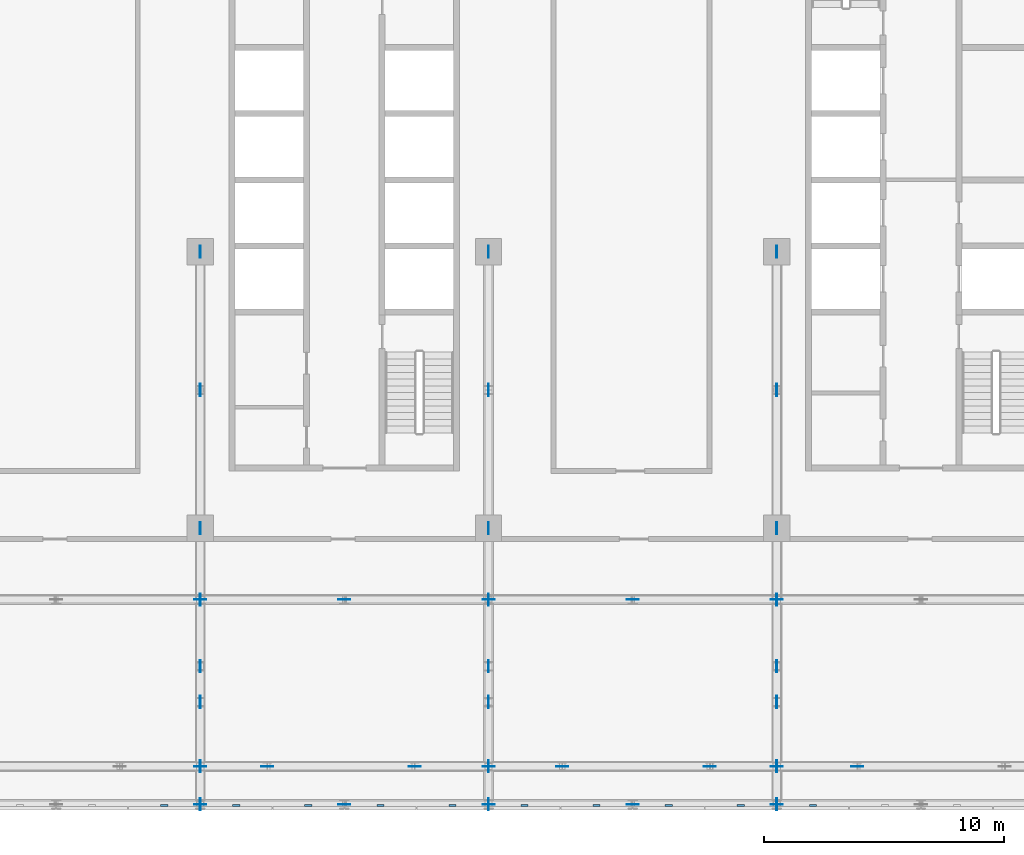
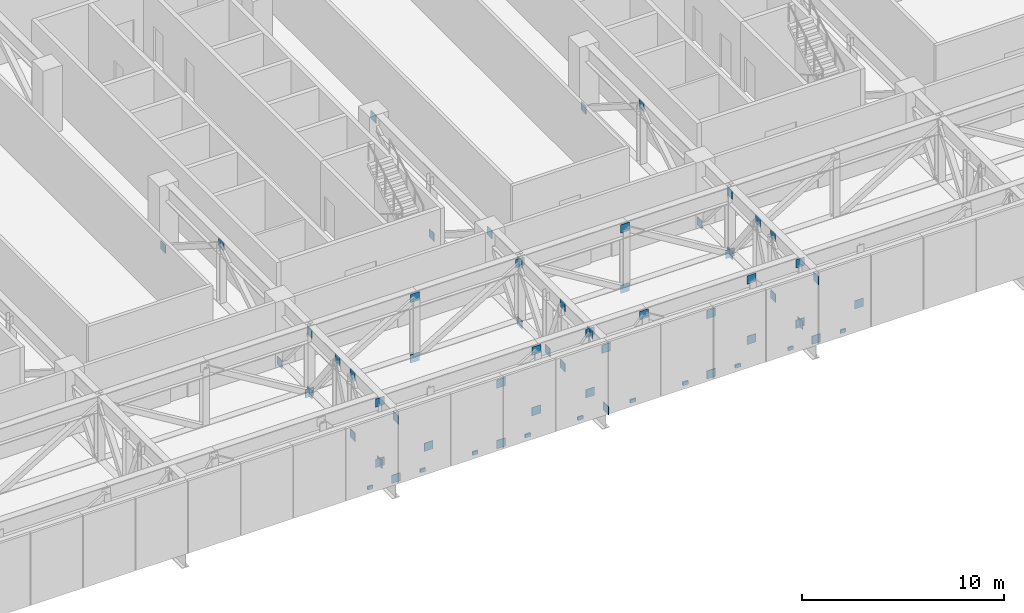
# One storey, part 18 of 28: 67 discrete accessories.
"""IFC4 building model written with IfcOpenShell, lengths in metres."""

from ifc_helpers import new_model, si_unit, direction, frame, origin, origin_2d, place, context, subcontext, project, spatial, rectangle, extrude, material, layer, layer_set, type_object, element, save


model = new_model("IFC4")

# Units and contexts
model_context = context("Model", 3, precision=1e-05, world=origin(), true_north=direction((0.0, 1.0)))
body_context = subcontext(model_context, "Body", "Model", "MODEL_VIEW")
ifc_project = project(units=[si_unit("LENGTHUNIT", "METRE"), si_unit("AREAUNIT", "SQUARE_METRE"), si_unit("VOLUMEUNIT", "CUBIC_METRE"), si_unit("PLANEANGLEUNIT", "RADIAN"), si_unit("MASSUNIT", "GRAM", prefix="KILO")], contexts=[model_context])

# Site, building, storey
site_placement = place(None, origin())
site = spatial("IfcSite", under=ifc_project, at=site_placement, CompositionType="ELEMENT")
building_placement = place(site_placement, origin())
building = spatial("IfcBuilding", under=site, at=building_placement, Name="Mahtab Terrace Research Tower", CompositionType="ELEMENT")
storey_placement = place(building_placement, frame((0.0, 0.0, 224.300048828125)))
storey = spatial("IfcBuildingStorey", under=building, at=storey_placement, Name="L54", CompositionType="ELEMENT", Elevation=224.300048828125)

# Discrete accessories
ifc_material_1 = material(Name="Black anodised aluminium", Category="aluminium")
discrete_accessory_type_1 = type_object("IfcDiscreteAccessoryType", Name="Facade bracket", PredefinedType="BRACKET", material=ifc_material_1)
for number, where, z_axis, x_axis, name in (
    (1, (-7.5, -23.044921875, -0.2998046875), (0.0, 0.0, 1.0), (1.0, 0.0, 0.0), "Louvre bracket L54 64"),
    (2, (-4.5, -23.044921875, -0.2998046875), (0.0, 0.0, 1.0), (1.0, 0.0, 0.0), "Louvre bracket L54 65"),
    (3, (-1.5, -23.044921875, -0.2998046875), (0.0, 0.0, 1.0), (1.0, 0.0, 0.0), "Louvre bracket L54 66"),
    (4, (1.5, -23.044921875, -0.2998046875), (0.0, 0.0, 1.0), (1.0, 0.0, 0.0), "Louvre bracket L54 67"),
    (5, (4.5, -23.044921875, -0.2998046875), (0.0, 0.0, 1.0), (1.0, 0.0, 0.0), "Louvre bracket L54 68"),
    (6, (7.5, -23.044921875, -0.2998046875), (0.0, 0.0, 1.0), (1.0, 0.0, 0.0), "Louvre bracket L54 69"),
    (7, (10.5, -23.044921875, -0.2998046875), (0.0, 0.0, 1.0), (1.0, 0.0, 0.0), "Louvre bracket L54 70"),
    (8, (13.5, -23.044921875, -0.2998046875), (0.0, 0.0, 1.0), (1.0, 0.0, 0.0), "Louvre bracket L54 71"),
    (9, (16.5, -23.044921875, -0.2998046875), (0.0, 0.0, 1.0), (1.0, 0.0, 0.0), "Louvre bracket L54 72"),
    (10, (19.5, -23.044921875, -0.2998046875), (0.0, 0.0, 1.0), (1.0, 0.0, 0.0), "Louvre bracket L54 73"),
):
    element("IfcDiscreteAccessory", number, at=place(storey_placement, frame(where, z_axis=z_axis, x_axis=x_axis)), inside=storey, type_object=discrete_accessory_type_1, Name=name, PredefinedType="BRACKET", context=body_context, shape_type="SweptSolid", body=[
        extrude(rectangle(XDim=0.300048828125, YDim=0.090087890625, at=origin_2d()), origin(), (0.0, 0.0, 1.0), 0.199951171875),
    ])
ifc_material_2 = material(Name="Steel ASTM A992 Gr 50", Category="steel")
ifc_layer = layer(ifc_material_2, 0.030029296875)
ifc_layer_set = layer_set([ifc_layer], Name="Gusset plate 500x500x30")
discrete_accessory_type_2 = type_object("IfcDiscreteAccessoryType", Name="Gusset plate 500x500x30", PredefinedType="USERDEFINED", material=ifc_layer_set)
for number, where, z_axis, x_axis, name in (
    (11, (-6.0, -23.0, -0.43798828125), (0.0, 0.0, 1.0), (1.0, 0.0, 0.0), "Gusset plate"),
    (12, (-6.0, -21.416015625, -0.43798828125), (0.0, 0.0, 1.0), (1.0, 0.0, 0.0), "Gusset plate"),
    (13, (-6.0, -21.416015625, 3.20947265625), (0.0, 0.0, 1.0), (1.0, 0.0, 0.0), "Gusset plate"),
    (14, (-6.0, -14.472900390625, -0.43798828125), (0.0, 0.0, 1.0), (1.0, 0.0, 0.0), "Gusset plate"),
    (15, (-3.2119140625, -21.416015625, -0.43798828125), (0.0, 0.0, 1.0), (1.0, 0.0, 0.0), "Gusset plate"),
    (16, (0.0, -23.0, -0.43798828125), (0.0, 0.0, 1.0), (1.0, 0.0, 0.0), "Gusset plate"),
    (17, (0.0, -23.0, 3.20947265625), (0.0, 0.0, 1.0), (1.0, 0.0, 0.0), "Gusset plate"),
    (18, (0.0, -14.472900390625, -0.43798828125), (0.0, 0.0, 1.0), (1.0, 0.0, 0.0), "Gusset plate"),
    (19, (0.0, -14.472900390625, 3.20947265625), (0.0, 0.0, 1.0), (1.0, 0.0, 0.0), "Gusset plate"),
    (20, (2.928955078125, -21.416015625, -0.43798828125), (0.0, 0.0, 1.0), (1.0, 0.0, 0.0), "Gusset plate"),
    (21, (2.928955078125, -21.416015625, 3.20947265625), (0.0, 0.0, 1.0), (1.0, 0.0, 0.0), "Gusset plate"),
    (22, (6.0, -23.0, 3.20947265625), (0.0, 0.0, 1.0), (1.0, 0.0, 0.0), "Gusset plate"),
    (23, (6.0, -21.416015625, -0.43798828125), (0.0, 0.0, 1.0), (1.0, 0.0, 0.0), "Gusset plate"),
    (24, (6.0, -21.416015625, 3.20947265625), (0.0, 0.0, 1.0), (1.0, 0.0, 0.0), "Gusset plate"),
    (25, (6.0, -14.472900390625, 3.20947265625), (0.0, 0.0, 1.0), (1.0, 0.0, 0.0), "Gusset plate"),
    (26, (9.071044921875, -21.416015625, 3.20947265625), (0.0, 0.0, 1.0), (1.0, 0.0, 0.0), "Gusset plate"),
    (27, (12.0, -23.0, -0.43798828125), (0.0, 0.0, 1.0), (1.0, 0.0, 0.0), "Gusset plate"),
    (28, (12.0, -23.0, 3.20947265625), (0.0, 0.0, 1.0), (1.0, 0.0, 0.0), "Gusset plate"),
    (29, (12.0, -14.472900390625, -0.43798828125), (0.0, 0.0, 1.0), (1.0, 0.0, 0.0), "Gusset plate"),
    (30, (12.0, -14.472900390625, 3.20947265625), (0.0, 0.0, 1.0), (1.0, 0.0, 0.0), "Gusset plate"),
    (31, (15.2119140625, -21.416015625, -0.43798828125), (0.0, 0.0, 1.0), (1.0, 0.0, 0.0), "Gusset plate"),
    (32, (15.2119140625, -21.416015625, 3.20947265625), (0.0, 0.0, 1.0), (1.0, 0.0, 0.0), "Gusset plate"),
    (33, (18.0, -23.0, -0.43798828125), (0.0, 0.0, 1.0), (1.0, 0.0, 0.0), "Gusset plate"),
    (34, (18.0, -21.416015625, -0.43798828125), (0.0, 0.0, 1.0), (1.0, 0.0, 0.0), "Gusset plate"),
    (35, (18.0, -21.416015625, 3.20947265625), (0.0, 0.0, 1.0), (1.0, 0.0, 0.0), "Gusset plate"),
    (36, (18.0, -14.472900390625, -0.43798828125), (0.0, 0.0, 1.0), (1.0, 0.0, 0.0), "Gusset plate"),
    (37, (21.35400390625, -21.416015625, -0.43798828125), (0.0, 0.0, 1.0), (1.0, 0.0, 0.0), "Gusset plate"),
    (38, (-6.0, -23.0, 3.20947265625), (0.0, 0.0, 1.0), (0.0, 1.0, 0.0), "Gusset plate"),
    (39, (-6.0, -21.416015625, -0.43798828125), (0.0, 0.0, 1.0), (0.0, 1.0, 0.0), "Gusset plate"),
    (40, (-6.0, -18.736083984375, -0.43798828125), (0.0, 0.0, 1.0), (0.0, 1.0, 0.0), "Gusset plate"),
    (41, (-6.0, -18.736083984375, 3.20947265625), (0.0, 0.0, 1.0), (0.0, 1.0, 0.0), "Gusset plate"),
    (42, (-6.0, -17.25, 3.20947265625), (0.0, 0.0, 1.0), (0.0, 1.0, 0.0), "Gusset plate"),
    (43, (-6.0, -14.472900390625, -0.43798828125), (0.0, 0.0, 1.0), (0.0, 1.0, 0.0), "Gusset plate"),
    (44, (-6.0, -14.472900390625, 3.20947265625), (0.0, 0.0, 1.0), (0.0, 1.0, 0.0), "Gusset plate"),
    (45, (-6.0, -11.5, -0.43798828125), (0.0, 0.0, 1.0), (0.0, 1.0, 0.0), "Gusset plate"),
    (46, (-6.0, -5.75, 3.20947265625), (0.0, 0.0, 1.0), (0.0, 1.0, 0.0), "Gusset plate"),
    (47, (-6.0, 0.0, -0.43798828125), (0.0, 0.0, 1.0), (0.0, 1.0, 0.0), "Gusset plate"),
    (48, (6.0, -23.0, -0.43798828125), (0.0, 0.0, 1.0), (0.0, 1.0, 0.0), "Gusset plate"),
    (49, (6.0, -21.416015625, 3.20947265625), (0.0, 0.0, 1.0), (0.0, 1.0, 0.0), "Gusset plate"),
    (50, (6.0, -18.736083984375, -0.43798828125), (0.0, 0.0, 1.0), (0.0, 1.0, 0.0), "Gusset plate"),
    (51, (6.0, -18.736083984375, 3.20947265625), (0.0, 0.0, 1.0), (0.0, 1.0, 0.0), "Gusset plate"),
    (52, (6.0, -17.25, -0.43798828125), (0.0, 0.0, 1.0), (0.0, 1.0, 0.0), "Gusset plate"),
    (53, (6.0, -14.472900390625, -0.43798828125), (0.0, 0.0, 1.0), (0.0, 1.0, 0.0), "Gusset plate"),
    (54, (6.0, -14.472900390625, 3.20947265625), (0.0, 0.0, 1.0), (0.0, 1.0, 0.0), "Gusset plate"),
    (55, (6.0, -11.5, 3.20947265625), (0.0, 0.0, 1.0), (0.0, 1.0, 0.0), "Gusset plate"),
    (56, (6.0, -5.75, -0.43798828125), (0.0, 0.0, 1.0), (0.0, 1.0, 0.0), "Gusset plate"),
    (57, (6.0, 0.0, 3.20947265625), (0.0, 0.0, 1.0), (0.0, 1.0, 0.0), "Gusset plate"),
    (58, (18.0, -23.0, 3.20947265625), (0.0, 0.0, 1.0), (0.0, 1.0, 0.0), "Gusset plate"),
    (59, (18.0, -21.416015625, -0.43798828125), (0.0, 0.0, 1.0), (0.0, 1.0, 0.0), "Gusset plate"),
    (60, (18.0, -18.736083984375, -0.43798828125), (0.0, 0.0, 1.0), (0.0, 1.0, 0.0), "Gusset plate"),
    (61, (18.0, -18.736083984375, 3.20947265625), (0.0, 0.0, 1.0), (0.0, 1.0, 0.0), "Gusset plate"),
    (62, (18.0, -17.25, 3.20947265625), (0.0, 0.0, 1.0), (0.0, 1.0, 0.0), "Gusset plate"),
    (63, (18.0, -14.472900390625, -0.43798828125), (0.0, 0.0, 1.0), (0.0, 1.0, 0.0), "Gusset plate"),
    (64, (18.0, -14.472900390625, 3.20947265625), (0.0, 0.0, 1.0), (0.0, 1.0, 0.0), "Gusset plate"),
    (65, (18.0, -11.5, -0.43798828125), (0.0, 0.0, 1.0), (0.0, 1.0, 0.0), "Gusset plate"),
    (66, (18.0, -5.75, 3.20947265625), (0.0, 0.0, 1.0), (0.0, 1.0, 0.0), "Gusset plate"),
    (67, (18.0, 0.0, -0.43798828125), (0.0, 0.0, 1.0), (0.0, 1.0, 0.0), "Gusset plate"),
):
    element("IfcDiscreteAccessory", number, at=place(storey_placement, frame(where, z_axis=z_axis, x_axis=x_axis)), inside=storey, type_object=discrete_accessory_type_2, Name=name, ObjectType="GUSSET PLATE", PredefinedType="USERDEFINED", context=body_context, shape_type="SweptSolid", body=[
        extrude(rectangle(XDim=0.5, YDim=0.030029296875, at=origin_2d()), origin(), (0.0, 0.0, 1.0), 0.5),
    ])

save(model, "model.ifc")
